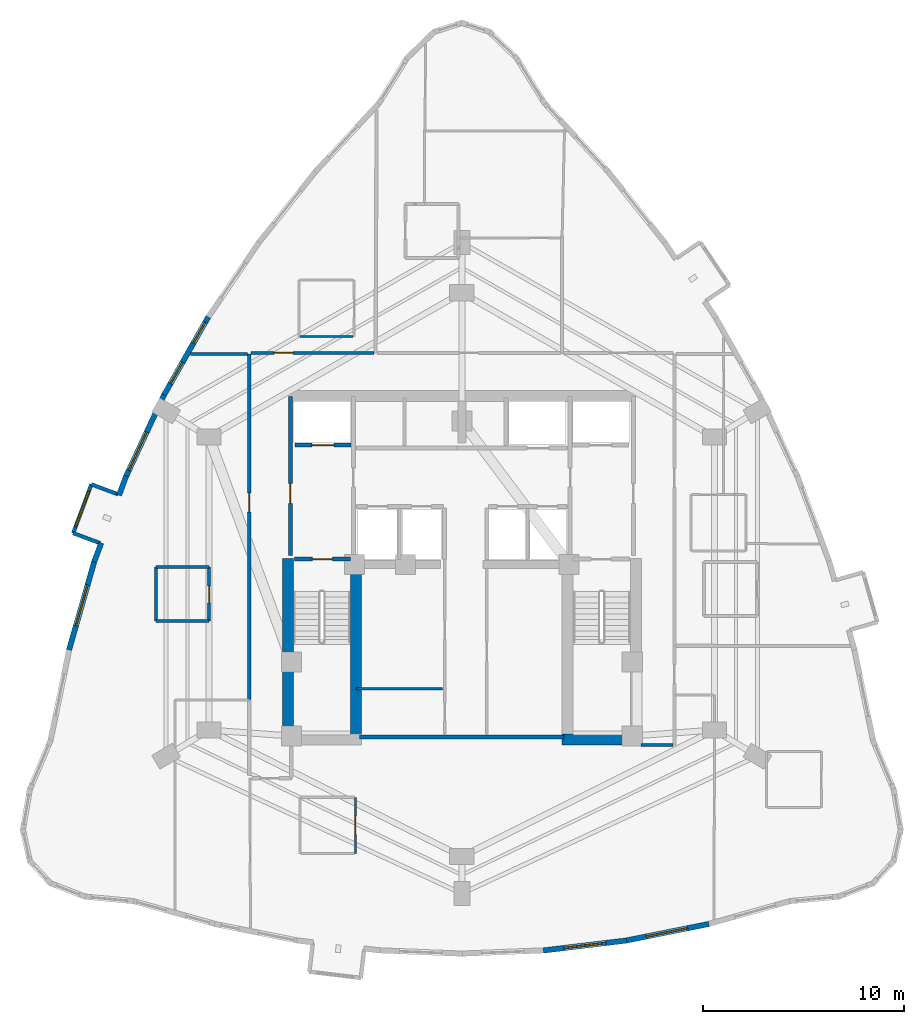
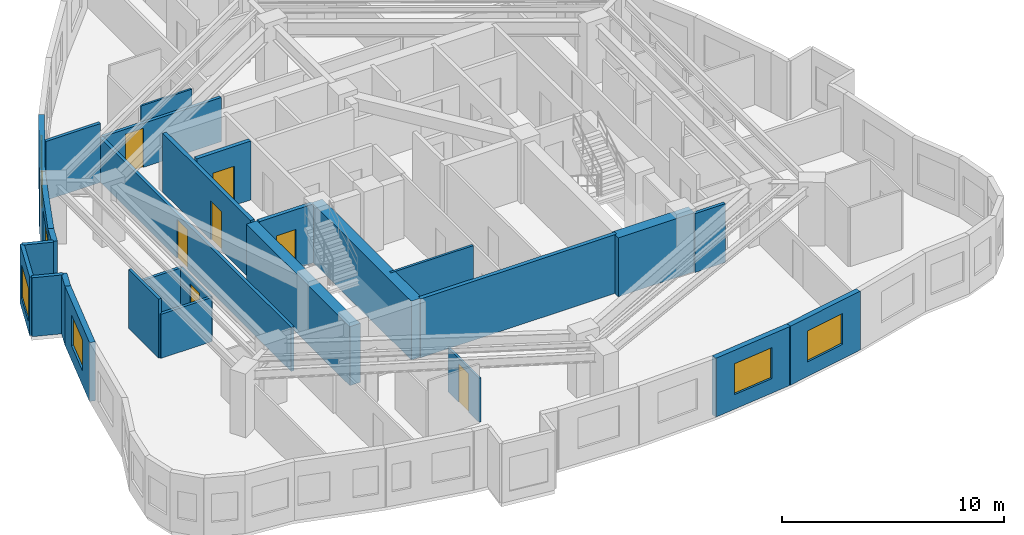
# One storey, part 5 of 10: 28 walls, 7 doors, 7 windows, 14 openings.
"""IFC4 building model written with IfcOpenShell, lengths in metres."""

from ifc_helpers import new_model, si_unit, direction, frame, frame_2d, origin, place, context, subcontext, project, spatial, rectangle, extrude, material, layer, layer_set, type_object, element, fill, save


model = new_model("IFC4")

# Units and contexts
model_context = context("Model", 3, precision=1e-05, world=origin(), true_north=direction((0.0, 1.0)))
body_context = subcontext(model_context, "Body", "Model", "MODEL_VIEW")
ifc_project = project(units=[si_unit("LENGTHUNIT", "METRE"), si_unit("AREAUNIT", "SQUARE_METRE"), si_unit("VOLUMEUNIT", "CUBIC_METRE"), si_unit("PLANEANGLEUNIT", "RADIAN"), si_unit("MASSUNIT", "GRAM", prefix="KILO")], contexts=[model_context])

# Site, building, storey
site_placement = place(None, origin())
site = spatial("IfcSite", under=ifc_project, at=site_placement, CompositionType="ELEMENT")
building_placement = place(site_placement, origin())
building = spatial("IfcBuilding", under=site, at=building_placement, Name="Miruveldt Soraemaru", CompositionType="ELEMENT")
storey_placement = place(building_placement, frame((0.0, 0.0, 121.39990234375)))
storey = spatial("IfcBuildingStorey", under=building, at=storey_placement, Name="L33", CompositionType="ELEMENT", Elevation=121.39990234375)

# Walls
ifc_material_1 = material(Name="White powder-coated aluminium EN AW-6060 T6", Category="aluminium")
ifc_layer_1 = layer(ifc_material_1, 0.18994140625, Name="White powder-coated aluminium EN AW-6060 T6", Category="aluminium")
ifc_layer_set_1 = layer_set([ifc_layer_1], Name="White powder-coated aluminium EN AW-6060 T6")
wall_type_1 = type_object("IfcWallType", Name="WALL-BAY-ALU190", PredefinedType="SOLIDWALL", material=ifc_layer_set_1)
for number, where, z_axis, x_axis, name in (
    (1, (26.866943359375, 47.552978515625, 0.0), (0.0, 0.0, 1.0), (-0.937129361406, 0.348982177182, 0.0), "L33 Bay Window Side Cheek 1L"),
    (2, (24.6240234375, 45.614013671875, 0.0), (0.0, 0.0, 1.0), (0.937129361406, -0.348982177182, 0.0), "L33 Bay Window Side Cheek 1R"),
):
    element("IfcWall", number, at=place(storey_placement, frame(where, z_axis=z_axis, x_axis=x_axis)), inside=storey, type_object=wall_type_1, Name=name, PredefinedType="SOLIDWALL", context=body_context, shape_type="SweptSolid", body=[
        extrude(rectangle(XDim=1.425048828125, YDim=0.18994140625, at=frame_2d((0.71240234375, 0.0))), origin(), (0.0, 0.0, 1.0), 3.235107421875),
    ])

# Wall, opening, window
wall_1_placement = place(storey_placement, frame((25.531494140625, 48.05029296875, 0.0), z_axis=(0.0, 0.0, 1.0), x_axis=(-0.349054047709, -0.937102594051, 0.0)))
wall_1 = element("IfcWall", 3, at=wall_1_placement, inside=storey, type_object=wall_type_1, Name="L33 Bay Window Front Frame 1", PredefinedType="SOLIDWALL", context=body_context, shape_type="SweptSolid", body=[
    extrude(rectangle(XDim=2.599853515625, YDim=0.18994140625, at=frame_2d((1.2998046875, 0.0))), origin(), (0.0, 0.0, 1.0), 3.235107421875),
])
opening_1_placement = place(wall_1_placement, frame((0.35009765625, 0.0, 0.550048828125)))
opening_1 = element("IfcOpeningElement", 4, at=opening_1_placement, cuts=wall_1, Name="Opening WN-6", PredefinedType="OPENING", context=body_context, shape_type="SweptSolid", body=[
    extrude(rectangle(XDim=1.89990234375, YDim=1.85009765625, at=frame_2d((0.949951171875, 0.925048828125))), frame((0.0, 0.10498046875, 0.0), z_axis=(0.0, -1.0, 0.0), x_axis=(1.0, 0.0, 0.0)), (0.0, 0.0, 1.0), 0.2099609375),
])
ifc_material_2 = material(Name="Triple low-e insulated glazing", Category="glass")
window_type_1 = type_object("IfcWindowType", Name="WIN-BAYW-1900x1850", PartitioningType="SINGLE_PANEL", PredefinedType="WINDOW", material=ifc_material_2)
window_1_placement = place(opening_1_placement, origin())
window_1 = element("IfcWindow", 5, at=window_1_placement, inside=storey, type_object=window_type_1, Name="L33 Projecting Bay Window 1", OverallHeight=1.85009765625, OverallWidth=1.89990234375, PartitioningType="SINGLE_PANEL", PredefinedType="WINDOW", context=body_context, shape_type="SweptSolid", body=[
    extrude(rectangle(XDim=1.89990234375, YDim=1.85009765625, at=frame_2d((0.949951171875, 0.925048828125))), frame((0.0, 0.030029296875, 0.0), z_axis=(0.0, -1.0, 0.0), x_axis=(1.0, 0.0, 0.0)), (0.0, 0.0, 1.0), 0.06005859375),
])
fill(opening_1, window_1)

# Walls
ifc_material_3 = material(Name="Concrete C70/85 (70 MPa)", Category="concrete")
ifc_layer_2 = layer(ifc_material_3, 0.550048828125, Name="Concrete C70/85 (70 MPa)", Category="concrete")
ifc_layer_set_2 = layer_set([ifc_layer_2], Name="Concrete C70/85 (70 MPa)")
wall_type_2 = type_object("IfcWallType", Name="WALL-CW-550", PredefinedType="SHEAR", material=ifc_layer_set_2)
wall_2_placement = place(storey_placement, frame((49.0, 35.324951171875, 0.0), z_axis=(0.0, 0.0, 1.0), x_axis=(1.0, 0.0, 0.0)))
element("IfcWall", 6, at=wall_2_placement, inside=storey, type_object=wall_type_2, Name="L33 Central Core Shear Wall S2", PredefinedType="SHEAR", context=body_context, shape_type="SweptSolid", body=[
    extrude(rectangle(XDim=3.949951171875, YDim=0.550048828125, at=frame_2d((1.97509765625, 0.0))), origin(), (0.0, 0.0, 1.0), 3.235107421875),
])
wall_3_placement = place(storey_placement, frame((35.324951171875, 35.050048828125, 0.0), z_axis=(0.0, 0.0, 1.0), x_axis=(0.0, 1.0, 0.0)))
element("IfcWall", 7, at=wall_3_placement, inside=storey, type_object=wall_type_2, Name="L33 Central Core Shear Wall W1", PredefinedType="SHEAR", context=body_context, shape_type="SweptSolid", body=[
    extrude(rectangle(XDim=9.300048828125, YDim=0.550048828125, at=frame_2d((4.64990234375, 0.0))), origin(), (0.0, 0.0, 1.0), 3.235107421875),
])
wall_4_placement = place(storey_placement, frame((38.72509765625, 35.39990234375, 0.0), z_axis=(0.0, 0.0, 1.0), x_axis=(0.0, 1.0, 0.0)))
element("IfcWall", 8, at=wall_4_placement, inside=storey, type_object=wall_type_2, Name="L33 Central Core Shear Wall SW-INT", PredefinedType="SHEAR", context=body_context, shape_type="SweptSolid", body=[
    extrude(rectangle(XDim=8.9501953125, YDim=0.550048828125, at=frame_2d((4.47509765625, 0.0))), origin(), (0.0, 0.0, 1.0), 3.235107421875),
])

# Wall, openings, windows
ifc_material_4 = material(Name="Precast concrete C45/55 (45 MPa)", Category="concrete")
ifc_layer_3 = layer(ifc_material_4, 0.27001953125, Name="Precast concrete C45/55 (45 MPa)", Category="concrete")
ifc_layer_set_3 = layer_set([ifc_layer_3], Name="Precast concrete C45/55 (45 MPa)")
wall_type_3 = type_object("IfcWallType", Name="WALL-EXT-PC270", PredefinedType="SOLIDWALL", material=ifc_layer_set_3)
wall_5_placement = place(storey_placement, frame((31.361328125, 56.396484375, 0.0), z_axis=(0.0, 0.0, 1.0), x_axis=(-0.49335164036, -0.869829959793, 0.0)))
wall_5 = element("IfcWall", 9, at=wall_5_placement, inside=storey, type_object=wall_type_3, Name="L33 Precast Concrete Facade Wall 10", PredefinedType="SOLIDWALL", context=body_context, shape_type="SweptSolid", body=[
    extrude(rectangle(XDim=4.541259765625, YDim=0.27001953125, at=frame_2d((2.2705078125, 0.0))), origin(), (0.0, 0.0, 1.0), 3.235107421875),
])
opening_2_placement = place(wall_5_placement, frame((0.298095703125, 0.0, 0.780029296875)))
opening_2 = element("IfcOpeningElement", 10, at=opening_2_placement, cuts=wall_5, Name="Opening WN-4", PredefinedType="OPENING", context=body_context, shape_type="SweptSolid", body=[
    extrude(rectangle(XDim=1.199951171875, YDim=1.550048828125, at=frame_2d((0.60009765625, 0.77490234375))), frame((0.0, 0.14501953125, 0.0), z_axis=(0.0, -1.0, 0.0), x_axis=(1.0, 0.0, 0.0)), (0.0, 0.0, 1.0), 0.2900390625),
])
opening_3_placement = place(wall_5_placement, frame((2.612060546875, 0.0, 0.780029296875)))
opening_3 = element("IfcOpeningElement", 11, at=opening_3_placement, cuts=wall_5, Name="Opening WN-4", PredefinedType="OPENING", context=body_context, shape_type="SweptSolid", body=[
    extrude(rectangle(XDim=1.199951171875, YDim=1.550048828125, at=frame_2d((0.60009765625, 0.77490234375))), frame((0.0, 0.14501953125, 0.0), z_axis=(0.0, -1.0, 0.0), x_axis=(1.0, 0.0, 0.0)), (0.0, 0.0, 1.0), 0.2900390625),
])
window_type_2 = type_object("IfcWindowType", Name="WIN-PUNCH-1200x1550", PartitioningType="SINGLE_PANEL", PredefinedType="WINDOW", material=ifc_material_2)
window_2_placement = place(opening_2_placement, origin())
window_2 = element("IfcWindow", 12, at=window_2_placement, inside=storey, type_object=window_type_2, Name="L33 Punched Triple-Glazed Window 10.1", OverallHeight=1.550048828125, OverallWidth=1.199951171875, PartitioningType="SINGLE_PANEL", PredefinedType="WINDOW", context=body_context, shape_type="SweptSolid", body=[
    extrude(rectangle(XDim=1.199951171875, YDim=1.550048828125, at=frame_2d((0.60009765625, 0.77490234375))), frame((0.0, 0.030029296875, 0.0), z_axis=(0.0, -1.0, 0.0), x_axis=(1.0, 0.0, 0.0)), (0.0, 0.0, 1.0), 0.06005859375),
])
fill(opening_2, window_2)
window_3_placement = place(opening_3_placement, origin())
window_3 = element("IfcWindow", 13, at=window_3_placement, inside=storey, type_object=window_type_2, Name="L33 Punched Triple-Glazed Window 10.2", OverallHeight=1.550048828125, OverallWidth=1.199951171875, PartitioningType="SINGLE_PANEL", PredefinedType="WINDOW", context=body_context, shape_type="SweptSolid", body=[
    extrude(rectangle(XDim=1.199951171875, YDim=1.550048828125, at=frame_2d((0.60009765625, 0.77490234375))), frame((0.0, 0.030029296875, 0.0), z_axis=(0.0, -1.0, 0.0), x_axis=(1.0, 0.0, 0.0)), (0.0, 0.0, 1.0), 0.06005859375),
])
fill(opening_3, window_3)

# Wall, opening, window
wall_6_placement = place(storey_placement, frame((29.153076171875, 52.508544921875, 0.0), z_axis=(0.0, 0.0, 1.0), x_axis=(-0.422335038646, -0.906439802266, 0.0)))
wall_6 = element("IfcWall", 14, at=wall_6_placement, inside=storey, type_object=wall_type_3, Name="L33 Precast Concrete Facade Wall 11", PredefinedType="SOLIDWALL", context=body_context, shape_type="SweptSolid", body=[
    extrude(rectangle(XDim=4.541259765625, YDim=0.27001953125, at=frame_2d((2.2705078125, 0.0))), origin(), (0.0, 0.0, 1.0), 3.235107421875),
])
opening_4_placement = place(wall_6_placement, frame((2.047119140625, 0.0, 0.800048828125)))
opening_4 = element("IfcOpeningElement", 15, at=opening_4_placement, cuts=wall_6, Name="Opening WN-1", PredefinedType="OPENING", context=body_context, shape_type="SweptSolid", body=[
    extrude(rectangle(XDim=2.10009765625, YDim=1.699951171875, at=frame_2d((1.050048828125, 0.85009765625))), frame((0.0, 0.14501953125, 0.0), z_axis=(0.0, -1.0, 0.0), x_axis=(1.0, 0.0, 0.0)), (0.0, 0.0, 1.0), 0.2900390625),
])
window_type_3 = type_object("IfcWindowType", Name="WIN-PUNCH-2100x1700", PartitioningType="SINGLE_PANEL", PredefinedType="WINDOW", material=ifc_material_2)
window_4_placement = place(opening_4_placement, origin())
window_4 = element("IfcWindow", 16, at=window_4_placement, inside=storey, type_object=window_type_3, Name="L33 Punched Triple-Glazed Window 11.1", OverallHeight=1.699951171875, OverallWidth=2.10009765625, PartitioningType="SINGLE_PANEL", PredefinedType="WINDOW", context=body_context, shape_type="SweptSolid", body=[
    extrude(rectangle(XDim=2.10009765625, YDim=1.699951171875, at=frame_2d((1.050048828125, 0.85009765625))), frame((0.0, 0.030029296875, 0.0), z_axis=(0.0, -1.0, 0.0), x_axis=(1.0, 0.0, 0.0)), (0.0, 0.0, 1.0), 0.06005859375),
])
fill(opening_4, window_4)

# Walls
wall_7_placement = place(storey_placement, frame((27.26220703125, 48.456787109375, 0.0), z_axis=(0.0, 0.0, 1.0), x_axis=(-0.349013766299, -0.937117597174, 0.0)))
element("IfcWall", 17, at=wall_7_placement, inside=storey, type_object=wall_type_3, Name="L33 Precast Pier Wall 12A", PredefinedType="SOLIDWALL", context=body_context, shape_type="SweptSolid", body=[
    extrude(rectangle(XDim=1.014892578125, YDim=0.27001953125, at=frame_2d((0.50732421875, 0.0))), origin(), (0.0, 0.0, 1.0), 3.235107421875),
])
wall_8_placement = place(storey_placement, frame((26.021484375, 45.12548828125, 0.0), z_axis=(0.0, 0.0, 1.0), x_axis=(-0.349092453284, -0.937088287762, 0.0)))
element("IfcWall", 18, at=wall_8_placement, inside=storey, type_object=wall_type_3, Name="L33 Precast Pier Wall 12B", PredefinedType="SOLIDWALL", context=body_context, shape_type="SweptSolid", body=[
    extrude(rectangle(XDim=1.0146484375, YDim=0.27001953125, at=frame_2d((0.50732421875, 0.0))), origin(), (0.0, 0.0, 1.0), 3.235107421875),
])

# Wall, opening, window
wall_9_placement = place(storey_placement, frame((25.689208984375, 44.240966796875, 0.0), z_axis=(0.0, 0.0, 1.0), x_axis=(-0.275006893594, -0.961442254364, 0.0)))
wall_9 = element("IfcWall", 19, at=wall_9_placement, inside=storey, type_object=wall_type_3, Name="L33 Precast Concrete Facade Wall 13", PredefinedType="SOLIDWALL", context=body_context, shape_type="SweptSolid", body=[
    extrude(rectangle(XDim=4.626220703125, YDim=0.27001953125, at=frame_2d((2.31298828125, 0.0))), origin(), (0.0, 0.0, 1.0), 3.235107421875),
])
opening_5_placement = place(wall_9_placement, frame((1.262939453125, 0.0, 0.800048828125)))
opening_5 = element("IfcOpeningElement", 20, at=opening_5_placement, cuts=wall_9, Name="Opening WN-1", PredefinedType="OPENING", context=body_context, shape_type="SweptSolid", body=[
    extrude(rectangle(XDim=2.10009765625, YDim=1.699951171875, at=frame_2d((1.050048828125, 0.85009765625))), frame((0.0, 0.14501953125, 0.0), z_axis=(0.0, -1.0, 0.0), x_axis=(1.0, 0.0, 0.0)), (0.0, 0.0, 1.0), 0.2900390625),
])
window_5_placement = place(opening_5_placement, origin())
window_5 = element("IfcWindow", 21, at=window_5_placement, inside=storey, type_object=window_type_3, Name="L33 Punched Triple-Glazed Window 13.1", OverallHeight=1.699951171875, OverallWidth=2.10009765625, PartitioningType="SINGLE_PANEL", PredefinedType="WINDOW", context=body_context, shape_type="SweptSolid", body=[
    extrude(rectangle(XDim=2.10009765625, YDim=1.699951171875, at=frame_2d((1.050048828125, 0.85009765625))), frame((0.0, 0.030029296875, 0.0), z_axis=(0.0, -1.0, 0.0), x_axis=(1.0, 0.0, 0.0)), (0.0, 0.0, 1.0), 0.06005859375),
])
fill(opening_5, window_5)

wall_10_placement = place(storey_placement, frame((48.05908203125, 24.805908203125, 0.0), z_axis=(0.0, 0.0, 1.0), x_axis=(0.992874083521, 0.119168176427, 0.0)))
wall_10 = element("IfcWall", 22, at=wall_10_placement, inside=storey, type_object=wall_type_3, Name="L33 Precast Concrete Facade Wall 26", PredefinedType="SOLIDWALL", context=body_context, shape_type="SweptSolid", body=[
    extrude(rectangle(XDim=4.193603515625, YDim=0.27001953125, at=frame_2d((2.0966796875, 0.0))), origin(), (0.0, 0.0, 1.0), 3.235107421875),
])
opening_6_placement = place(wall_10_placement, frame((1.047119140625, 0.0, 0.800048828125)))
opening_6 = element("IfcOpeningElement", 23, at=opening_6_placement, cuts=wall_10, Name="Opening WN-1", PredefinedType="OPENING", context=body_context, shape_type="SweptSolid", body=[
    extrude(rectangle(XDim=2.10009765625, YDim=1.699951171875, at=frame_2d((1.050048828125, 0.85009765625))), frame((0.0, 0.14501953125, 0.0), z_axis=(0.0, -1.0, 0.0), x_axis=(1.0, 0.0, 0.0)), (0.0, 0.0, 1.0), 0.2900390625),
])
window_6_placement = place(opening_6_placement, origin())
window_6 = element("IfcWindow", 24, at=window_6_placement, inside=storey, type_object=window_type_3, Name="L33 Punched Triple-Glazed Window 26.1", OverallHeight=1.699951171875, OverallWidth=2.10009765625, PartitioningType="SINGLE_PANEL", PredefinedType="WINDOW", context=body_context, shape_type="SweptSolid", body=[
    extrude(rectangle(XDim=2.10009765625, YDim=1.699951171875, at=frame_2d((1.050048828125, 0.85009765625))), frame((0.0, 0.030029296875, 0.0), z_axis=(0.0, -1.0, 0.0), x_axis=(1.0, 0.0, 0.0)), (0.0, 0.0, 1.0), 0.06005859375),
])
fill(opening_6, window_6)

wall_11_placement = place(storey_placement, frame((52.15380859375, 25.29443359375, 0.0), z_axis=(0.0, 0.0, 1.0), x_axis=(0.980569614244, 0.196171434263, 0.0)))
wall_11 = element("IfcWall", 25, at=wall_11_placement, inside=storey, type_object=wall_type_3, Name="L33 Precast Concrete Facade Wall 27", PredefinedType="SOLIDWALL", context=body_context, shape_type="SweptSolid", body=[
    extrude(rectangle(XDim=4.2451171875, YDim=0.27001953125, at=frame_2d((2.12255859375, 0.0))), origin(), (0.0, 0.0, 1.0), 3.235107421875),
])
opening_7_placement = place(wall_11_placement, frame((1.072998046875, 0.0, 0.800048828125)))
opening_7 = element("IfcOpeningElement", 26, at=opening_7_placement, cuts=wall_11, Name="Opening WN-1", PredefinedType="OPENING", context=body_context, shape_type="SweptSolid", body=[
    extrude(rectangle(XDim=2.10009765625, YDim=1.699951171875, at=frame_2d((1.050048828125, 0.85009765625))), frame((0.0, 0.14501953125, 0.0), z_axis=(0.0, -1.0, 0.0), x_axis=(1.0, 0.0, 0.0)), (0.0, 0.0, 1.0), 0.2900390625),
])
window_7_placement = place(opening_7_placement, origin())
window_7 = element("IfcWindow", 27, at=window_7_placement, inside=storey, type_object=window_type_3, Name="L33 Punched Triple-Glazed Window 27.1", OverallHeight=1.699951171875, OverallWidth=2.10009765625, PartitioningType="SINGLE_PANEL", PredefinedType="WINDOW", context=body_context, shape_type="SweptSolid", body=[
    extrude(rectangle(XDim=2.10009765625, YDim=1.699951171875, at=frame_2d((1.050048828125, 0.85009765625))), frame((0.0, 0.030029296875, 0.0), z_axis=(0.0, -1.0, 0.0), x_axis=(1.0, 0.0, 0.0)), (0.0, 0.0, 1.0), 0.06005859375),
])
fill(opening_7, window_7)

# Wall, opening, door
ifc_material_5 = material(Name="Gypsum plasterboard lining", Category="gypsum")
ifc_layer_4 = layer(ifc_material_5, 0.10009765625, Name="Gypsum plasterboard lining", Category="gypsum")
ifc_layer_set_4 = layer_set([ifc_layer_4], Name="Gypsum plasterboard lining")
wall_type_4 = type_object("IfcWallType", Name="WALL-INT-P100", PredefinedType="PARTITIONING", material=ifc_layer_set_4)
wall_12_placement = place(storey_placement, frame((38.694091796875, 29.64794921875, 0.0), z_axis=(0.0, 0.0, 1.0), x_axis=(0.0, 1.0, 0.0)))
wall_12 = element("IfcWall", 28, at=wall_12_placement, inside=storey, type_object=wall_type_4, Name="L33 Partition Wall 30", PredefinedType="PARTITIONING", context=body_context, shape_type="SweptSolid", body=[
    extrude(rectangle(XDim=2.800048828125, YDim=0.10009765625, at=frame_2d((1.39990234375, 0.0))), origin(), (0.0, 0.0, 1.0), 2.423095703125),
])
opening_8_placement = place(wall_12_placement, frame((0.93994140625, 0.0, 0.0)))
opening_8 = element("IfcOpeningElement", 29, at=opening_8_placement, cuts=wall_12, Name="Opening D3A", PredefinedType="OPENING", context=body_context, shape_type="SweptSolid", body=[
    extrude(rectangle(XDim=0.919921875, YDim=2.10009765625, at=frame_2d((0.4599609375, 1.050048828125))), frame((0.0, 0.06005859375, 0.0), z_axis=(0.0, -1.0, 0.0), x_axis=(1.0, 0.0, 0.0)), (0.0, 0.0, 1.0), 0.1201171875),
])
ifc_material_6 = material(Name="Anodised aluminium EN AW-6063 T6", Category="aluminium")
door_type_1 = type_object("IfcDoorType", Name="DOOR-INT-920", OperationType="NOTDEFINED", PredefinedType="DOOR", material=ifc_material_6)
door_1_placement = place(opening_8_placement, origin())
door_1 = element("IfcDoor", 30, at=door_1_placement, inside=storey, type_object=door_type_1, Name="L33 Unit 3304 KIT Door", OperationType="SINGLE_SWING_RIGHT", OverallHeight=2.10009765625, OverallWidth=0.919921875, PredefinedType="DOOR", context=body_context, shape_type="SweptSolid", body=[
    extrude(rectangle(XDim=0.919921875, YDim=2.10009765625, at=frame_2d((0.4599609375, 1.050048828125))), frame((0.0, 0.02490234375, 0.0), z_axis=(0.0, -1.0, 0.0), x_axis=(1.0, 0.0, 0.0)), (0.0, 0.0, 1.0), 0.050048828125),
])
fill(opening_8, door_1)

# Walls
wall_13_placement = place(storey_placement, frame((35.93701171875, 55.429931640625, 0.0), z_axis=(0.0, 0.0, 1.0), x_axis=(1.0, 0.0, 0.0)))
element("IfcWall", 31, at=wall_13_placement, inside=storey, type_object=wall_type_4, Name="L33 Partition Wall 15", PredefinedType="PARTITIONING", context=body_context, shape_type="SweptSolid", body=[
    extrude(rectangle(XDim=2.64990234375, YDim=0.10009765625, at=frame_2d((1.324951171875, 0.0))), origin(), (0.0, 0.0, 1.0), 2.72314453125),
])
ifc_layer_5 = layer(ifc_material_5, 0.1201171875, Name="Gypsum plasterboard lining", Category="gypsum")
ifc_layer_set_5 = layer_set([ifc_layer_5], Name="Gypsum plasterboard lining")
wall_type_5 = type_object("IfcWallType", Name="WALL-INT-P120", PredefinedType="PARTITIONING", material=ifc_layer_set_5)
wall_14_placement = place(storey_placement, frame((38.75, 37.85009765625, 0.0), z_axis=(0.0, 0.0, 1.0), x_axis=(1.0, 0.0, 0.0)))
element("IfcWall", 32, at=wall_14_placement, inside=storey, type_object=wall_type_5, Name="L33 Core Compartment Wall RL-W1H", PredefinedType="PARTITIONING", context=body_context, shape_type="SweptSolid", body=[
    extrude(rectangle(XDim=4.300048828125, YDim=0.1201171875, at=frame_2d((2.14990234375, 0.0))), origin(), (0.0, 0.0, 1.0), 3.235107421875),
])

# Wall, opening, door
ifc_layer_6 = layer(ifc_material_5, 0.14990234375, Name="Gypsum plasterboard lining", Category="gypsum")
ifc_layer_set_6 = layer_set([ifc_layer_6], Name="Gypsum plasterboard lining")
wall_type_6 = type_object("IfcWallType", Name="WALL-INT-PLUMB", PredefinedType="PLUMBINGWALL", material=ifc_layer_set_6)
wall_15_placement = place(storey_placement, frame((31.404052734375, 41.22509765625, 0.0), z_axis=(0.0, 0.0, 1.0), x_axis=(0.0, 1.0, 0.0)))
wall_15 = element("IfcWall", 33, at=wall_15_placement, inside=storey, type_object=wall_type_6, Name="L33 Partition Wall 35", PredefinedType="PLUMBINGWALL", context=body_context, shape_type="SweptSolid", body=[
    extrude(rectangle(XDim=2.699951171875, YDim=0.14990234375, at=frame_2d((1.35009765625, 0.0))), origin(), (0.0, 0.0, 1.0), 2.423095703125),
])
opening_9_placement = place(wall_15_placement, frame((0.909912109375, 0.0, 0.0)))
opening_9 = element("IfcOpeningElement", 34, at=opening_9_placement, cuts=wall_15, Name="Opening FD3", PredefinedType="OPENING", context=body_context, shape_type="SweptSolid", body=[
    extrude(rectangle(XDim=0.85009765625, YDim=2.10009765625, at=frame_2d((0.425048828125, 1.050048828125))), frame((0.0, 0.0849609375, 0.0), z_axis=(0.0, -1.0, 0.0), x_axis=(1.0, 0.0, 0.0)), (0.0, 0.0, 1.0), 0.169921875),
])
door_type_2 = type_object("IfcDoorType", Name="DOOR-FD3-850", OperationType="NOTDEFINED", PredefinedType="DOOR", material=ifc_material_6)
door_2_placement = place(opening_9_placement, origin())
door_2 = element("IfcDoor", 35, at=door_2_placement, inside=storey, type_object=door_type_2, Name="L33 Unit CL05 BTH Door", OperationType="SINGLE_SWING_LEFT", OverallHeight=2.10009765625, OverallWidth=0.85009765625, PredefinedType="DOOR", context=body_context, shape_type="SweptSolid", body=[
    extrude(rectangle(XDim=0.85009765625, YDim=2.10009765625, at=frame_2d((0.425048828125, 1.050048828125))), frame((0.0, 0.02490234375, 0.0), z_axis=(0.0, -1.0, 0.0), x_axis=(1.0, 0.0, 0.0)), (0.0, 0.0, 1.0), 0.050048828125),
])
fill(opening_9, door_2)

# Walls
wall_16_placement = place(storey_placement, frame((28.75390625, 43.925048828125, 0.0), z_axis=(0.0, 0.0, 1.0), x_axis=(0.0, -1.0, 0.0)))
element("IfcWall", 36, at=wall_16_placement, inside=storey, type_object=wall_type_6, Name="L33 Partition Wall 37", PredefinedType="PLUMBINGWALL", context=body_context, shape_type="SweptSolid", body=[
    extrude(rectangle(XDim=2.699951171875, YDim=0.14990234375, at=frame_2d((1.35009765625, 0.0))), origin(), (0.0, 0.0, 1.0), 3.235107421875),
])
for number, where, z_axis, x_axis, name in (
    (37, (31.404052734375, 43.925048828125, 0.0), (0.0, 0.0, 1.0), (-1.0, 0.0, 0.0), "L33 Partition Wall 36"),
    (38, (28.75390625, 41.22509765625, 0.0), (0.0, 0.0, 1.0), (1.0, 0.0, 0.0), "L33 Partition Wall 38"),
):
    element("IfcWall", number, at=place(storey_placement, frame(where, z_axis=z_axis, x_axis=x_axis)), inside=storey, type_object=wall_type_6, Name=name, PredefinedType="PLUMBINGWALL", context=body_context, shape_type="SweptSolid", body=[
        extrude(rectangle(XDim=2.650146484375, YDim=0.14990234375, at=frame_2d((1.3251953125, 0.0))), origin(), (0.0, 0.0, 1.0), 2.423095703125),
    ])

# Wall, opening, door
ifc_material_7 = material(Name="Concrete C40/50 (40 MPa)", Category="concrete")
ifc_layer_7 = layer(ifc_material_7, 0.159912109375, Name="Concrete C40/50 (40 MPa)", Category="concrete")
ifc_layer_set_7 = layer_set([ifc_layer_7], Name="Concrete C40/50 (40 MPa)")
wall_type_7 = type_object("IfcWallType", Name="WALL-INT-RC160", PredefinedType="SOLIDWALL", material=ifc_layer_set_7)
wall_17_placement = place(storey_placement, frame((33.39990234375, 54.547119140625, 0.0), z_axis=(0.0, 0.0, 1.0), x_axis=(0.0, -1.0, 0.0)))
wall_17 = element("IfcWall", 39, at=wall_17_placement, inside=storey, type_object=wall_type_7, Name="L33 Partition Wall 7", PredefinedType="SOLIDWALL", context=body_context, shape_type="SweptSolid", body=[
    extrude(rectangle(XDim=17.217041015625, YDim=0.159912109375, at=frame_2d((8.6083984375, 0.0))), origin(), (0.0, 0.0, 1.0), 2.423095703125),
])
opening_10_placement = place(wall_17_placement, frame((6.926025390625, 0.0, 0.0)))
opening_10 = element("IfcOpeningElement", 40, at=opening_10_placement, cuts=wall_17, Name="Opening FD2", PredefinedType="OPENING", context=body_context, shape_type="SweptSolid", body=[
    extrude(rectangle(XDim=0.949951171875, YDim=2.14990234375, at=frame_2d((0.47509765625, 1.074951171875))), frame((0.0, 0.08984375, 0.0), z_axis=(0.0, -1.0, 0.0), x_axis=(1.0, 0.0, 0.0)), (0.0, 0.0, 1.0), 0.179931640625),
])
door_type_3 = type_object("IfcDoorType", Name="DOOR-FD2-950", OperationType="NOTDEFINED", PredefinedType="DOOR", material=ifc_material_6)
door_3_placement = place(opening_10_placement, origin())
door_3 = element("IfcDoor", 41, at=door_3_placement, inside=storey, type_object=door_type_3, Name="L33 Unit CL05 Entrance Fire Door", OperationType="SINGLE_SWING_RIGHT", OverallHeight=2.14990234375, OverallWidth=0.949951171875, PredefinedType="DOOR", context=body_context, shape_type="SweptSolid", body=[
    extrude(rectangle(XDim=0.949951171875, YDim=2.14990234375, at=frame_2d((0.47509765625, 1.074951171875))), frame((0.0, 0.02490234375, 0.0), z_axis=(0.0, -1.0, 0.0), x_axis=(1.0, 0.0, 0.0)), (0.0, 0.0, 1.0), 0.050048828125),
])
fill(opening_10, door_3)

wall_18_placement = place(storey_placement, frame((39.623046875, 54.60009765625, 0.0), z_axis=(0.0, 0.0, 1.0), x_axis=(-1.0, 0.0, 0.0)))
wall_18 = element("IfcWall", 42, at=wall_18_placement, inside=storey, type_object=wall_type_7, Name="L33 Partition Wall 1", PredefinedType="SOLIDWALL", context=body_context, shape_type="SweptSolid", body=[
    extrude(rectangle(XDim=6.14306640625, YDim=0.159912109375, at=frame_2d((3.071533203125, 0.0))), origin(), (0.0, 0.0, 1.0), 2.423095703125),
])
opening_11_placement = place(wall_18_placement, frame((4.037109375, 0.0, 0.0)))
opening_11 = element("IfcOpeningElement", 43, at=opening_11_placement, cuts=wall_18, Name="Opening FD2", PredefinedType="OPENING", context=body_context, shape_type="SweptSolid", body=[
    extrude(rectangle(XDim=0.949951171875, YDim=2.14990234375, at=frame_2d((0.47509765625, 1.074951171875))), frame((0.0, 0.08984375, 0.0), z_axis=(0.0, -1.0, 0.0), x_axis=(1.0, 0.0, 0.0)), (0.0, 0.0, 1.0), 0.179931640625),
])
door_4_placement = place(opening_11_placement, origin())
door_4 = element("IfcDoor", 44, at=door_4_placement, inside=storey, type_object=door_type_3, Name="L33 Unit CL01 Entrance Fire Door", OperationType="SINGLE_SWING_RIGHT", OverallHeight=2.14990234375, OverallWidth=0.949951171875, PredefinedType="DOOR", context=body_context, shape_type="SweptSolid", body=[
    extrude(rectangle(XDim=0.949951171875, YDim=2.14990234375, at=frame_2d((0.47509765625, 1.074951171875))), frame((0.0, 0.02490234375, 0.0), z_axis=(0.0, -1.0, 0.0), x_axis=(1.0, 0.0, 0.0)), (0.0, 0.0, 1.0), 0.050048828125),
])
fill(opening_11, door_4)

# Walls
wall_19_placement = place(storey_placement, frame((30.487060546875, 54.550048828125, 0.0), z_axis=(0.0, 0.0, 1.0), x_axis=(1.0, 0.0, 0.0)))
element("IfcWall", 45, at=wall_19_placement, inside=storey, type_object=wall_type_7, Name="L33 Partition Wall 17", PredefinedType="SOLIDWALL", context=body_context, shape_type="SweptSolid", body=[
    extrude(rectangle(XDim=2.829833984375, YDim=0.159912109375, at=frame_2d((1.4150390625, 0.0))), origin(), (0.0, 0.0, 1.0), 3.235107421875),
])
wall_20_placement = place(storey_placement, frame((52.946044921875, 35.050048828125, 0.0), z_axis=(0.0, 0.0, 1.0), x_axis=(1.0, 0.0, 0.0)))
element("IfcWall", 46, at=wall_20_placement, inside=storey, type_object=wall_type_7, Name="L33 Partition Wall 10", PredefinedType="SOLIDWALL", context=body_context, shape_type="SweptSolid", body=[
    extrude(rectangle(XDim=1.573974609375, YDim=0.159912109375, at=frame_2d((0.787109375, 0.0))), origin(), (0.0, 0.0, 1.0), 3.235107421875),
])

# Wall, opening, door
ifc_layer_8 = layer(ifc_material_7, 0.199951171875, Name="Concrete C40/50 (40 MPa)", Category="concrete")
ifc_layer_set_8 = layer_set([ifc_layer_8], Name="Concrete C40/50 (40 MPa)")
wall_type_8 = type_object("IfcWallType", Name="WALL-INT-RC200", PredefinedType="SOLIDWALL", material=ifc_layer_set_8)
wall_21_placement = place(storey_placement, frame((35.449951171875, 44.5, 0.0), z_axis=(0.0, 0.0, 1.0), x_axis=(0.0, 1.0, 0.0)))
wall_21 = element("IfcWall", 47, at=wall_21_placement, inside=storey, type_object=wall_type_8, Name="L33 Core Compartment Wall FFW-OUT", PredefinedType="SOLIDWALL", context=body_context, shape_type="SweptSolid", body=[
    extrude(rectangle(XDim=7.919921875, YDim=0.199951171875, at=frame_2d((3.9599609375, 0.0))), origin(), (0.0, 0.0, 1.0), 3.235107421875),
])
opening_12_placement = place(wall_21_placement, frame((2.60009765625, 0.0, 0.0)))
opening_12 = element("IfcOpeningElement", 48, at=opening_12_placement, cuts=wall_21, Name="Opening FD1", PredefinedType="OPENING", context=body_context, shape_type="SweptSolid", body=[
    extrude(rectangle(XDim=1.0, YDim=2.14990234375, at=frame_2d((0.5, 1.074951171875))), frame((0.0, 0.10986328125, 0.0), z_axis=(0.0, -1.0, 0.0), x_axis=(1.0, 0.0, 0.0)), (0.0, 0.0, 1.0), 0.219970703125),
])
door_type_4 = type_object("IfcDoorType", Name="DOOR-FD1-1000", OperationType="NOTDEFINED", PredefinedType="DOOR", material=ifc_material_6)
door_5_placement = place(opening_12_placement, origin())
door_5 = element("IfcDoor", 49, at=door_5_placement, inside=storey, type_object=door_type_4, Name="L33 West Firefighting Lobby Exit Door", OperationType="SINGLE_SWING_LEFT", OverallHeight=2.14990234375, OverallWidth=1.0, PredefinedType="DOOR", context=body_context, shape_type="SweptSolid", body=[
    extrude(rectangle(XDim=1.0, YDim=2.14990234375, at=frame_2d((0.5, 1.074951171875))), frame((0.0, 0.02490234375, 0.0), z_axis=(0.0, -1.0, 0.0), x_axis=(1.0, 0.0, 0.0)), (0.0, 0.0, 1.0), 0.050048828125),
])
fill(opening_12, door_5)

wall_22_placement = place(storey_placement, frame((35.64990234375, 44.320068359375, 0.0), z_axis=(0.0, 0.0, 1.0), x_axis=(1.0, 0.0, 0.0)))
wall_22 = element("IfcWall", 50, at=wall_22_placement, inside=storey, type_object=wall_type_8, Name="L33 Core Compartment Wall ST1-N", PredefinedType="SOLIDWALL", context=body_context, shape_type="SweptSolid", body=[
    extrude(rectangle(XDim=2.800048828125, YDim=0.199951171875, at=frame_2d((1.39990234375, 0.0))), origin(), (0.0, 0.0, 1.0), 3.235107421875),
])
opening_13_placement = place(wall_22_placement, frame((0.89990234375, 0.0, 0.0)))
opening_13 = element("IfcOpeningElement", 51, at=opening_13_placement, cuts=wall_22, Name="Opening FD1", PredefinedType="OPENING", context=body_context, shape_type="SweptSolid", body=[
    extrude(rectangle(XDim=1.0, YDim=2.14990234375, at=frame_2d((0.5, 1.074951171875))), frame((0.0, 0.10986328125, 0.0), z_axis=(0.0, -1.0, 0.0), x_axis=(1.0, 0.0, 0.0)), (0.0, 0.0, 1.0), 0.219970703125),
])
door_6_placement = place(opening_13_placement, frame((1.0, 0.0, 0.0), z_axis=(0.0, 0.0, 1.0), x_axis=(-1.0, 0.0, 0.0)))
door_6 = element("IfcDoor", 52, at=door_6_placement, inside=storey, type_object=door_type_4, Name="L33 Stair ST-1 Fire Door", OperationType="SINGLE_SWING_LEFT", OverallHeight=2.14990234375, OverallWidth=1.0, PredefinedType="DOOR", context=body_context, shape_type="SweptSolid", body=[
    extrude(rectangle(XDim=1.0, YDim=2.14990234375, at=frame_2d((0.5, 1.074951171875))), frame((0.0, 0.02490234375, 0.0), z_axis=(0.0, -1.0, 0.0), x_axis=(1.0, 0.0, 0.0)), (0.0, 0.0, 1.0), 0.050048828125),
])
fill(opening_13, door_6)

wall_23_placement = place(storey_placement, frame((35.679931640625, 50.0, 0.0), z_axis=(0.0, 0.0, 1.0), x_axis=(1.0, 0.0, 0.0)))
wall_23 = element("IfcWall", 53, at=wall_23_placement, inside=storey, type_object=wall_type_8, Name="L33 Core Compartment Wall FFL1-S", PredefinedType="SOLIDWALL", context=body_context, shape_type="SweptSolid", body=[
    extrude(rectangle(XDim=2.800048828125, YDim=0.199951171875, at=frame_2d((1.39990234375, 0.0))), origin(), (0.0, 0.0, 1.0), 3.235107421875),
])
opening_14_placement = place(wall_23_placement, frame((0.85009765625, 0.0, 0.0)))
opening_14 = element("IfcOpeningElement", 54, at=opening_14_placement, cuts=wall_23, Name="Opening LD2", PredefinedType="OPENING", context=body_context, shape_type="SweptSolid", body=[
    extrude(rectangle(XDim=1.10009765625, YDim=2.14990234375, at=frame_2d((0.550048828125, 1.074951171875))), frame((0.0, 0.10986328125, 0.0), z_axis=(0.0, -1.0, 0.0), x_axis=(1.0, 0.0, 0.0)), (0.0, 0.0, 1.0), 0.219970703125),
])
door_type_5 = type_object("IfcDoorType", Name="DOOR-LD2-1100", OperationType="SLIDING_TO_LEFT", PredefinedType="DOOR", material=ifc_material_6)
door_7_placement = place(opening_14_placement, origin())
door_7 = element("IfcDoor", 55, at=door_7_placement, inside=storey, type_object=door_type_5, Name="L33 FFL-1 Landing Door", OperationType="SLIDING_TO_LEFT", OverallHeight=2.14990234375, OverallWidth=1.10009765625, PredefinedType="DOOR", context=body_context, shape_type="SweptSolid", body=[
    extrude(rectangle(XDim=1.10009765625, YDim=2.14990234375, at=frame_2d((0.550048828125, 1.074951171875))), frame((0.0, 0.02490234375, 0.0), z_axis=(0.0, -1.0, 0.0), x_axis=(1.0, 0.0, 0.0)), (0.0, 0.0, 1.0), 0.050048828125),
])
fill(opening_14, door_7)

# Wall
wall_24_placement = place(storey_placement, frame((38.89990234375, 35.449951171875, 0.0), z_axis=(0.0, 0.0, 1.0), x_axis=(1.0, 0.0, 0.0)))
element("IfcWall", 56, at=wall_24_placement, inside=storey, type_object=wall_type_8, Name="L33 Core Compartment Wall CS-S", PredefinedType="SOLIDWALL", context=body_context, shape_type="SweptSolid", body=[
    extrude(rectangle(XDim=10.2001953125, YDim=0.199951171875, at=frame_2d((5.10009765625, 0.0))), origin(), (0.0, 0.0, 1.0), 3.235107421875),
])

save(model, "model.ifc")
